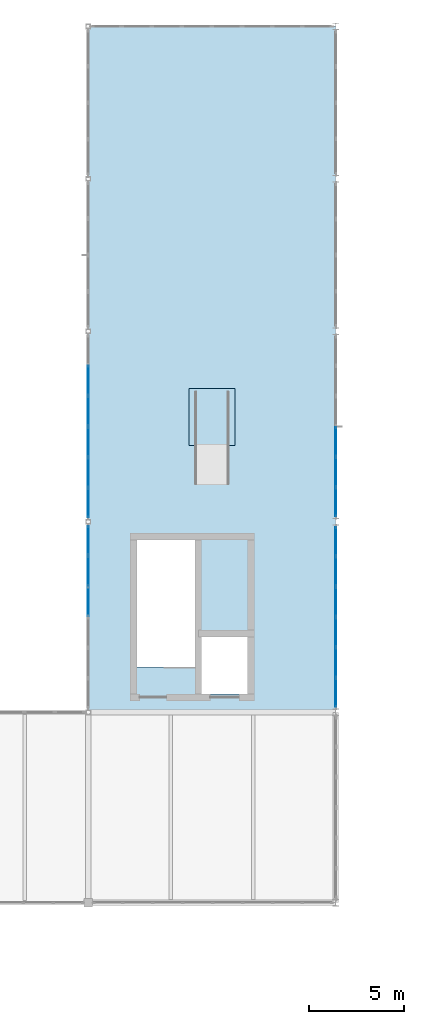
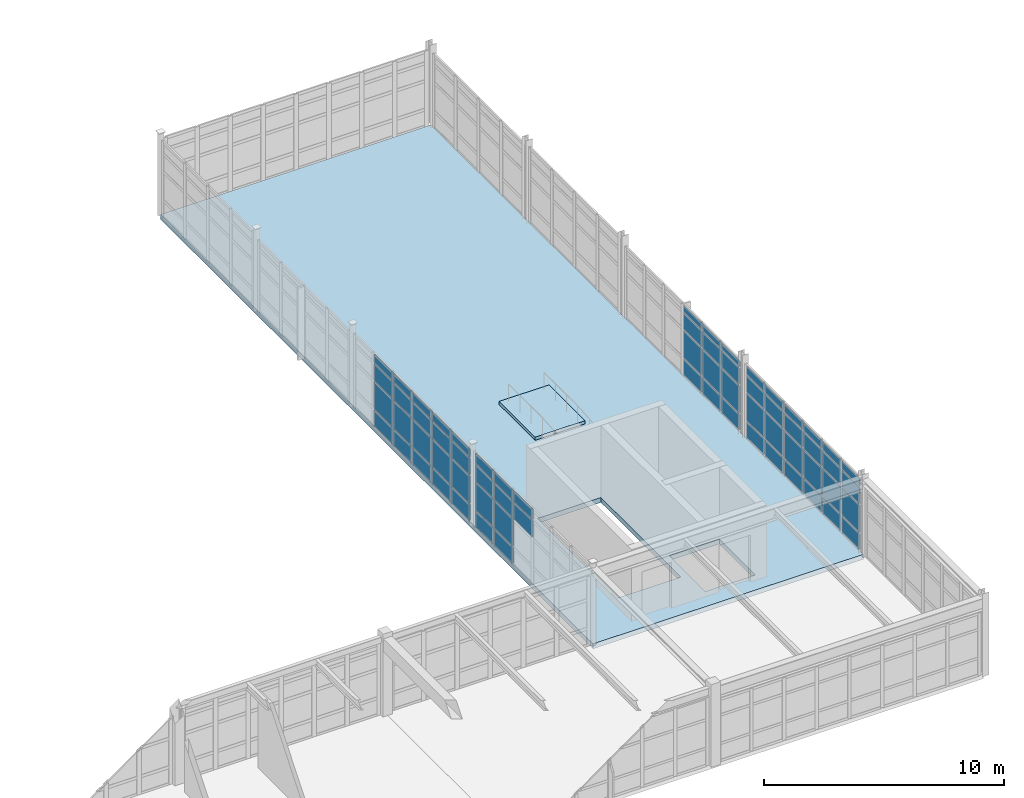
# One storey, part 85 of 122: 66 plates, 2 slabs, 4 elements without a shape of their own.
"""IFC4 building model written with IfcOpenShell, lengths in metres."""

import ifcopenshell
import ifcopenshell.guid

model = None  # the IFC model being written
_history = None  # IfcOwnerHistory: only IFC2X3 demands one
_inside = {}  # id of a spatial element -> (the spatial element, [elements in it])
_under = {}  # id of a project, library or spatial element -> (it, [spatial elements below it])
_declared = {}  # id of a project -> (the project, [libraries it declares])
_typed = {}  # id of a type object -> (the type object, [elements of that type])
_made_of = {}  # id of a material, layer set ... -> (it, [elements and type objects made of it])


def new_model(schema):
    """Start an empty IFC model of exactly this schema.

    Asked for "IFC4X3", IfcOpenShell would pick the latest addendum, in which some entities
    have other attributes; the version numbers below select the first issue.
    IFC2X3 requires an IfcOwnerHistory on every rooted entity: one is made here for all.
    """
    global model, _history
    if schema == "IFC4X3":
        model = ifcopenshell.file(schema_version=(4, 3, 0, 0))
    else:
        model = ifcopenshell.file(schema=schema)
    _inside.clear()
    _under.clear()
    _declared.clear()
    _typed.clear()
    _made_of.clear()
    _history = None
    if model.schema == "IFC2X3":
        org = make("IfcOrganization", Name="unknown")
        user = make(
            "IfcPersonAndOrganization",
            ThePerson=make("IfcPerson", FamilyName="unknown"),
            TheOrganization=org,
        )
        app = make(
            "IfcApplication",
            ApplicationDeveloper=org,
            Version="unknown",
            ApplicationFullName="unknown",
            ApplicationIdentifier="unknown",
        )
        _history = make(
            "IfcOwnerHistory",
            OwningUser=user,
            OwningApplication=app,
            ChangeAction="ADDED",
            CreationDate=0,
        )
    return model


def make(cls, **values):
    """One entity of the class cls with the attributes given. An attribute that is None is left unset."""
    return model.create_entity(
        cls, **{name: value for name, value in values.items() if value is not None}
    )


def rooted(cls, **values):
    """An entity with a GlobalId (a new one), such as an element, a storey or a relation."""
    return make(cls, GlobalId=ifcopenshell.guid.new(), OwnerHistory=_history, **values)


def si_unit(unit_type, name, prefix=None):
    """IfcSIUnit, for example si_unit("LENGTHUNIT", "METRE", prefix="MILLI")."""
    return make("IfcSIUnit", UnitType=unit_type, Prefix=prefix, Name=name)


def assignment(units):
    """IfcUnitAssignment: the units of a project."""
    return None if units is None else make("IfcUnitAssignment", Units=units)


def point(xyz):
    """IfcCartesianPoint."""
    return None if xyz is None else make("IfcCartesianPoint", Coordinates=xyz)


def direction(xyz):
    """IfcDirection."""
    return None if xyz is None else make("IfcDirection", DirectionRatios=xyz)


def frame(location, z_axis=None, x_axis=None):
    """IfcAxis2Placement3D, a coordinate frame: its origin and axes. An axis left out is left unset."""
    return make(
        "IfcAxis2Placement3D",
        Location=point(location),
        Axis=direction(z_axis),
        RefDirection=direction(x_axis),
    )


def frame_2d(location, x_axis=None):
    """IfcAxis2Placement2D, a coordinate frame in the plane: its origin and x axis."""
    return make(
        "IfcAxis2Placement2D", Location=point(location), RefDirection=direction(x_axis)
    )


def origin():
    """The frame at (0, 0, 0) with its axes left unset."""
    return frame((0.0, 0.0, 0.0))


def origin_2d():
    """The frame at (0, 0) in the plane with its x axis left unset."""
    return frame_2d((0.0, 0.0))


def place(relative_to, where):
    """IfcLocalPlacement: puts the frame where relative to a parent placement (None: the world)."""
    return make(
        "IfcLocalPlacement", PlacementRelTo=relative_to, RelativePlacement=where
    )


def context(
    kind, dimensions, precision=None, world=None, true_north=None, identifier=None
):
    """IfcGeometricRepresentationContext, for example the 3D "Model" context."""
    return make(
        "IfcGeometricRepresentationContext",
        ContextIdentifier=identifier,
        ContextType=kind,
        CoordinateSpaceDimension=dimensions,
        Precision=precision,
        WorldCoordinateSystem=world,
        TrueNorth=true_north,
    )


def subcontext(parent, identifier, kind, view, scale=None):
    """IfcGeometricRepresentationSubContext, for example "Body" below "Model"."""
    return make(
        "IfcGeometricRepresentationSubContext",
        ContextIdentifier=identifier,
        ContextType=kind,
        ParentContext=parent,
        TargetScale=scale,
        TargetView=view,
    )


def project(units=None, contexts=None):
    """IfcProject with its units and contexts."""
    return rooted(
        "IfcProject",
        Name="project",
        RepresentationContexts=contexts,
        UnitsInContext=assignment(units),
    )


def spatial(cls, under=None, at=None, **own):
    """A site, building, storey or space (cls), placed at a placement, below another one or the project."""
    s = rooted(cls, ObjectPlacement=at, **own)
    if under is not None:
        _under.setdefault(under.id(), (under, []))[1].append(s)
    return s


def polyline(points):
    """IfcPolyline through the points."""
    return make("IfcPolyline", Points=[point(p) for p in points])


def profile(cls, at=None, kind="AREA", **sizes):
    """A parametric profile (cls). Its sizes go by their IFC names, for example OverallWidth=200.0."""
    return make(cls, ProfileType=kind, Position=at, **sizes)


def rectangle(**sizes):
    """IfcRectangleProfileDef."""
    return profile("IfcRectangleProfileDef", **sizes)


def outline(outer, holes=None, kind="AREA"):
    """IfcArbitraryClosedProfileDef: a profile drawn as a closed curve; with holes, ...WithVoids."""
    if holes is None:
        return make("IfcArbitraryClosedProfileDef", ProfileType=kind, OuterCurve=outer)
    return make(
        "IfcArbitraryProfileDefWithVoids",
        ProfileType=kind,
        OuterCurve=outer,
        InnerCurves=holes,
    )


def extrude(swept, where, along, depth):
    """IfcExtrudedAreaSolid: the profile swept, set in the frame where, extruded along a direction by depth."""
    return make(
        "IfcExtrudedAreaSolid",
        SweptArea=swept,
        Position=where,
        ExtrudedDirection=direction(along),
        Depth=depth,
    )


def shape(context_of_items, identifier, shape_type, items):
    """IfcShapeRepresentation: the items that make up one representation, for example the "Body"."""
    return make(
        "IfcShapeRepresentation",
        ContextOfItems=context_of_items,
        RepresentationIdentifier=identifier,
        RepresentationType=shape_type,
        Items=items,
    )


def material(Name=None, Category=None):
    """IfcMaterial."""
    return make("IfcMaterial", Name=Name, Category=Category)


def layer(
    of_material, thickness, ventilated=None, Name=None, Category=None, Priority=None
):
    """IfcMaterialLayer: one layer of a wall or slab, of a material (None: an air gap)."""
    return make(
        "IfcMaterialLayer",
        Material=of_material,
        LayerThickness=thickness,
        IsVentilated=ventilated,
        Name=Name,
        Category=Category,
        Priority=Priority,
    )


def layer_set(layers, Name=None):
    """IfcMaterialLayerSet."""
    return make("IfcMaterialLayerSet", MaterialLayers=layers, LayerSetName=Name)


def made_of(thing, what):
    """Note that an element or type object is made of a material, layer set ...; save() writes the relation."""
    if what is not None:
        _made_of.setdefault(what.id(), (what, []))[1].append(thing)
    return thing


def type_object(cls, material=None, **own):
    """A type object (cls), such as IfcWallType, which elements share."""
    return made_of(rooted(cls, **own), material)


def element(
    cls,
    number,
    at=None,
    inside=None,
    cuts=None,
    type_object=None,
    material=None,
    context=None,
    identifier="Body",
    shape_type=None,
    held_by="IfcProductDefinitionShape",
    body=None,
    shapes=None,
    **own,
):
    """One element of the class cls, such as IfcWall. Its Tag is "e" and its number.

    at: its placement. inside: the storey or other place that contains it. cuts: it is an
    opening in that element (IfcRelVoidsElement). A single representation is given by context,
    identifier, shape_type and body (its items); several are given by shapes. held_by: the class
    of the entity that holds the representations. save() writes the other relations.
    """
    e = rooted(cls, Tag="e%d" % number, ObjectPlacement=at, **own)
    if body is not None:
        shapes = [shape(context, identifier, shape_type, body)]
    if shapes is not None:
        e.Representation = make(held_by, Representations=shapes)
    if inside is not None:
        _inside.setdefault(inside.id(), (inside, []))[1].append(e)
    if cuts is not None:
        rooted(
            "IfcRelVoidsElement", RelatingBuildingElement=cuts, RelatedOpeningElement=e
        )
    if type_object is not None:
        _typed.setdefault(type_object.id(), (type_object, []))[1].append(e)
    return made_of(e, material)


def aggregate(whole, parts):
    """IfcRelAggregates: a whole, such as a stair, and the parts it consists of."""
    return rooted("IfcRelAggregates", RelatingObject=whole, RelatedObjects=parts)


def save(model, path):
    """Write the relations noted so far, then the file.

    IfcRelAggregates (storeys below a building ...), IfcRelContainedInSpatialStructure (elements
    in a storey), IfcRelDefinesByType, IfcRelAssociatesMaterial and IfcRelDeclares: one each for
    every whole, place, type object, material and project.
    """
    for whole, parts in _under.values():
        aggregate(whole, parts)
    for where, things in _inside.values():
        rooted(
            "IfcRelContainedInSpatialStructure",
            RelatedElements=things,
            RelatingStructure=where,
        )
    for kind, things in _typed.values():
        rooted("IfcRelDefinesByType", RelatedObjects=things, RelatingType=kind)
    for what, things in _made_of.values():
        rooted("IfcRelAssociatesMaterial", RelatedObjects=things, RelatingMaterial=what)
    for by, libraries in _declared.values():
        rooted("IfcRelDeclares", RelatingContext=by, RelatedDefinitions=libraries)
    model.write(path)


model = new_model("IFC4")

# Units and contexts
model_context = context("Model", 3, precision=1e-05, world=origin(), true_north=direction((0.0, 1.0)))
body_context = subcontext(model_context, "Body", "Model", "MODEL_VIEW")
ifc_project = project(units=[si_unit("LENGTHUNIT", "METRE"), si_unit("AREAUNIT", "SQUARE_METRE"), si_unit("VOLUMEUNIT", "CUBIC_METRE"), si_unit("PLANEANGLEUNIT", "RADIAN"), si_unit("MASSUNIT", "GRAM", prefix="KILO"), si_unit("THERMODYNAMICTEMPERATUREUNIT", "KELVIN"), si_unit("POWERUNIT", "WATT")], contexts=[model_context])

# Site, building, storey
site_placement = place(None, origin())
site = spatial("IfcSite", under=ifc_project, at=site_placement, CompositionType="ELEMENT")
building_placement = place(site_placement, origin())
building = spatial("IfcBuilding", under=site, at=building_placement, Name="Korenveer Ferry Terminal", CompositionType="ELEMENT")
storey_placement = place(building_placement, frame((0.0, 0.0, 10.199951171875)))
storey = spatial("IfcBuildingStorey", under=building, at=storey_placement, Name="L02", CompositionType="ELEMENT", Elevation=10.199951171875)

# Curtain wall, plates
ifc_material_1 = material(Name="Unitised bronze-and-glass curtain wall", Category="glass")
ifc_layer_1 = layer(ifc_material_1, 0.219970703125)
ifc_layer_set_1 = layer_set([ifc_layer_1], Name="Unitised bronze-and-glass curtain wall")
curtain_wall_type_1 = type_object("IfcCurtainWallType", Name="ENV-CW-110", PredefinedType="USERDEFINED", material=ifc_layer_set_1)
curtain_wall_1_placement = place(storey_placement, frame((40.0, 80.16650390625, 0.0)))
curtain_wall_1 = element("IfcCurtainWall", 1, at=curtain_wall_1_placement, inside=storey, type_object=curtain_wall_type_1, Name="Lancet curtain wall CWX-L02-X40-40-Y80-90", ObjectType="UNITISED CURTAIN WALL", PredefinedType="USERDEFINED")
ifc_material_2 = material(Name="Acoustic laminated marine glazing", Category="glass")
ifc_layer_2 = layer(ifc_material_2, 0.035888671875)
ifc_layer_set_2 = layer_set([ifc_layer_2], Name="Acoustic laminated marine glazing")
plate_type = type_object("IfcPlateType", Name="ENV-CWP-GLZ36", PredefinedType="CURTAIN_PANEL", material=ifc_layer_set_2)
plate_1_placement = place(storey_placement, frame((40.0, 85.8056640625, 2.3876953125), z_axis=(0.0, 0.0, 1.0), x_axis=(0.0, 1.0, 0.0)))
plate_1 = element("IfcPlate", 2, at=plate_1_placement, type_object=plate_type, Name="CW-110 panel 4.3", PredefinedType="CURTAIN_PANEL", context=body_context, shape_type="SweptSolid", body=[
    extrude(rectangle(XDim=1.5361328125, YDim=0.035888671875, at=origin_2d()), origin(), (0.0, 0.0, 1.0), 0.824951171875),
])
plate_2_placement = place(storey_placement, frame((40.0, 85.8056640625, 3.28759765625), z_axis=(0.0, 0.0, 1.0), x_axis=(0.0, 1.0, 0.0)))
plate_2 = element("IfcPlate", 3, at=plate_2_placement, type_object=plate_type, Name="CW-110 panel 4.4", PredefinedType="CURTAIN_PANEL", context=body_context, shape_type="SweptSolid", body=[
    extrude(rectangle(XDim=1.5361328125, YDim=0.035888671875, at=origin_2d()), origin(), (0.0, 0.0, 1.0), 0.49755859375),
])
plate_3_placement = place(storey_placement, frame((40.0, 87.416748046875, 0.074951171875), z_axis=(0.0, 0.0, 1.0), x_axis=(0.0, 1.0, 0.0)))
plate_3 = element("IfcPlate", 4, at=plate_3_placement, type_object=plate_type, Name="CW-110 panel 5.1", PredefinedType="CURTAIN_PANEL", context=body_context, shape_type="SweptSolid", body=[
    extrude(rectangle(XDim=1.5361328125, YDim=0.035888671875, at=origin_2d()), origin(), (0.0, 0.0, 1.0), 0.78759765625),
])
plate_4_placement = place(storey_placement, frame((40.0, 87.416748046875, 0.9375), z_axis=(0.0, 0.0, 1.0), x_axis=(0.0, 1.0, 0.0)))
plate_4 = element("IfcPlate", 5, at=plate_4_placement, type_object=plate_type, Name="CW-110 panel 5.2", PredefinedType="CURTAIN_PANEL", context=body_context, shape_type="SweptSolid", body=[
    extrude(rectangle(XDim=1.5361328125, YDim=0.035888671875, at=origin_2d()), origin(), (0.0, 0.0, 1.0), 1.375),
])
plate_5_placement = place(storey_placement, frame((40.0, 87.416748046875, 2.3876953125), z_axis=(0.0, 0.0, 1.0), x_axis=(0.0, 1.0, 0.0)))
plate_5 = element("IfcPlate", 6, at=plate_5_placement, type_object=plate_type, Name="CW-110 panel 5.3", PredefinedType="CURTAIN_PANEL", context=body_context, shape_type="SweptSolid", body=[
    extrude(rectangle(XDim=1.5361328125, YDim=0.035888671875, at=origin_2d()), origin(), (0.0, 0.0, 1.0), 0.824951171875),
])
plate_6_placement = place(storey_placement, frame((40.0, 87.416748046875, 3.28759765625), z_axis=(0.0, 0.0, 1.0), x_axis=(0.0, 1.0, 0.0)))
plate_6 = element("IfcPlate", 7, at=plate_6_placement, type_object=plate_type, Name="CW-110 panel 5.4", PredefinedType="CURTAIN_PANEL", context=body_context, shape_type="SweptSolid", body=[
    extrude(rectangle(XDim=1.5361328125, YDim=0.035888671875, at=origin_2d()), origin(), (0.0, 0.0, 1.0), 0.49755859375),
])
plate_7_placement = place(storey_placement, frame((40.0, 89.00927734375, 0.074951171875), z_axis=(0.0, 0.0, 1.0), x_axis=(0.0, 1.0, 0.0)))
plate_7 = element("IfcPlate", 8, at=plate_7_placement, type_object=plate_type, Name="CW-110 panel 6.1", PredefinedType="CURTAIN_PANEL", context=body_context, shape_type="SweptSolid", body=[
    extrude(rectangle(XDim=1.498779296875, YDim=0.035888671875, at=origin_2d()), origin(), (0.0, 0.0, 1.0), 0.78759765625),
])
plate_8_placement = place(storey_placement, frame((40.0, 89.00927734375, 0.9375), z_axis=(0.0, 0.0, 1.0), x_axis=(0.0, 1.0, 0.0)))
plate_8 = element("IfcPlate", 9, at=plate_8_placement, type_object=plate_type, Name="CW-110 panel 6.2", PredefinedType="CURTAIN_PANEL", context=body_context, shape_type="SweptSolid", body=[
    extrude(rectangle(XDim=1.498779296875, YDim=0.035888671875, at=origin_2d()), origin(), (0.0, 0.0, 1.0), 1.375),
])
plate_9_placement = place(storey_placement, frame((40.0, 89.00927734375, 2.3876953125), z_axis=(0.0, 0.0, 1.0), x_axis=(0.0, 1.0, 0.0)))
plate_9 = element("IfcPlate", 10, at=plate_9_placement, type_object=plate_type, Name="CW-110 panel 6.3", PredefinedType="CURTAIN_PANEL", context=body_context, shape_type="SweptSolid", body=[
    extrude(rectangle(XDim=1.498779296875, YDim=0.035888671875, at=origin_2d()), origin(), (0.0, 0.0, 1.0), 0.824951171875),
])
plate_10_placement = place(storey_placement, frame((40.0, 89.00927734375, 3.28759765625), z_axis=(0.0, 0.0, 1.0), x_axis=(0.0, 1.0, 0.0)))
plate_10 = element("IfcPlate", 11, at=plate_10_placement, type_object=plate_type, Name="CW-110 panel 6.4", PredefinedType="CURTAIN_PANEL", context=body_context, shape_type="SweptSolid", body=[
    extrude(rectangle(XDim=1.498779296875, YDim=0.035888671875, at=origin_2d()), origin(), (0.0, 0.0, 1.0), 0.49755859375),
])
aggregate(curtain_wall_1, [plate_1, plate_2, plate_3, plate_4, plate_5, plate_6, plate_7, plate_8, plate_9, plate_10])

ifc_layer_3 = layer(ifc_material_1, 0.219970703125)
ifc_layer_set_3 = layer_set([ifc_layer_3], Name="Unitised bronze-and-glass curtain wall")
curtain_wall_type_2 = type_object("IfcCurtainWallType", Name="ENV-CW-111", PredefinedType="USERDEFINED", material=ifc_layer_set_3)
curtain_wall_2_placement = place(storey_placement, frame((40.0, 90.16650390625, 0.0)))
curtain_wall_2 = element("IfcCurtainWall", 12, at=curtain_wall_2_placement, inside=storey, type_object=curtain_wall_type_2, Name="Lancet curtain wall CWX-L02-X40-40-Y90-100", ObjectType="UNITISED CURTAIN WALL", PredefinedType="USERDEFINED")
plate_11_placement = place(storey_placement, frame((40.0, 90.99072265625, 0.074951171875), z_axis=(0.0, 0.0, 1.0), x_axis=(0.0, 1.0, 0.0)))
plate_11 = element("IfcPlate", 13, at=plate_11_placement, type_object=plate_type, Name="CW-111 panel 1.1", PredefinedType="CURTAIN_PANEL", context=body_context, shape_type="SweptSolid", body=[
    extrude(rectangle(XDim=1.498779296875, YDim=0.035888671875, at=origin_2d()), origin(), (0.0, 0.0, 1.0), 0.78759765625),
])
plate_12_placement = place(storey_placement, frame((40.0, 90.99072265625, 0.9375), z_axis=(0.0, 0.0, 1.0), x_axis=(0.0, 1.0, 0.0)))
plate_12 = element("IfcPlate", 14, at=plate_12_placement, type_object=plate_type, Name="CW-111 panel 1.2", PredefinedType="CURTAIN_PANEL", context=body_context, shape_type="SweptSolid", body=[
    extrude(rectangle(XDim=1.498779296875, YDim=0.035888671875, at=origin_2d()), origin(), (0.0, 0.0, 1.0), 1.375),
])
plate_13_placement = place(storey_placement, frame((40.0, 90.99072265625, 2.3876953125), z_axis=(0.0, 0.0, 1.0), x_axis=(0.0, 1.0, 0.0)))
plate_13 = element("IfcPlate", 15, at=plate_13_placement, type_object=plate_type, Name="CW-111 panel 1.3", PredefinedType="CURTAIN_PANEL", context=body_context, shape_type="SweptSolid", body=[
    extrude(rectangle(XDim=1.498779296875, YDim=0.035888671875, at=origin_2d()), origin(), (0.0, 0.0, 1.0), 0.824951171875),
])
plate_14_placement = place(storey_placement, frame((40.0, 90.99072265625, 3.28759765625), z_axis=(0.0, 0.0, 1.0), x_axis=(0.0, 1.0, 0.0)))
plate_14 = element("IfcPlate", 16, at=plate_14_placement, type_object=plate_type, Name="CW-111 panel 1.4", PredefinedType="CURTAIN_PANEL", context=body_context, shape_type="SweptSolid", body=[
    extrude(rectangle(XDim=1.498779296875, YDim=0.035888671875, at=origin_2d()), origin(), (0.0, 0.0, 1.0), 0.3974609375),
])
plate_15_placement = place(storey_placement, frame((40.0, 92.583251953125, 0.074951171875), z_axis=(0.0, 0.0, 1.0), x_axis=(0.0, 1.0, 0.0)))
plate_15 = element("IfcPlate", 17, at=plate_15_placement, type_object=plate_type, Name="CW-111 panel 2.1", PredefinedType="CURTAIN_PANEL", context=body_context, shape_type="SweptSolid", body=[
    extrude(rectangle(XDim=1.5361328125, YDim=0.035888671875, at=origin_2d()), origin(), (0.0, 0.0, 1.0), 0.78759765625),
])
plate_16_placement = place(storey_placement, frame((40.0, 92.583251953125, 0.9375), z_axis=(0.0, 0.0, 1.0), x_axis=(0.0, 1.0, 0.0)))
plate_16 = element("IfcPlate", 18, at=plate_16_placement, type_object=plate_type, Name="CW-111 panel 2.2", PredefinedType="CURTAIN_PANEL", context=body_context, shape_type="SweptSolid", body=[
    extrude(rectangle(XDim=1.5361328125, YDim=0.035888671875, at=origin_2d()), origin(), (0.0, 0.0, 1.0), 1.375),
])
plate_17_placement = place(storey_placement, frame((40.0, 92.583251953125, 2.3876953125), z_axis=(0.0, 0.0, 1.0), x_axis=(0.0, 1.0, 0.0)))
plate_17 = element("IfcPlate", 19, at=plate_17_placement, type_object=plate_type, Name="CW-111 panel 2.3", PredefinedType="CURTAIN_PANEL", context=body_context, shape_type="SweptSolid", body=[
    extrude(rectangle(XDim=1.5361328125, YDim=0.035888671875, at=origin_2d()), origin(), (0.0, 0.0, 1.0), 0.824951171875),
])
plate_18_placement = place(storey_placement, frame((40.0, 92.583251953125, 3.28759765625), z_axis=(0.0, 0.0, 1.0), x_axis=(0.0, 1.0, 0.0)))
plate_18 = element("IfcPlate", 20, at=plate_18_placement, type_object=plate_type, Name="CW-111 panel 2.4", PredefinedType="CURTAIN_PANEL", context=body_context, shape_type="SweptSolid", body=[
    extrude(rectangle(XDim=1.5361328125, YDim=0.035888671875, at=origin_2d()), origin(), (0.0, 0.0, 1.0), 0.3974609375),
])
plate_19_placement = place(storey_placement, frame((40.0, 94.1943359375, 0.074951171875), z_axis=(0.0, 0.0, 1.0), x_axis=(0.0, 1.0, 0.0)))
plate_19 = element("IfcPlate", 21, at=plate_19_placement, type_object=plate_type, Name="CW-111 panel 3.1", PredefinedType="CURTAIN_PANEL", context=body_context, shape_type="SweptSolid", body=[
    extrude(rectangle(XDim=1.5361328125, YDim=0.035888671875, at=origin_2d()), origin(), (0.0, 0.0, 1.0), 0.78759765625),
])
plate_20_placement = place(storey_placement, frame((40.0, 94.1943359375, 0.9375), z_axis=(0.0, 0.0, 1.0), x_axis=(0.0, 1.0, 0.0)))
plate_20 = element("IfcPlate", 22, at=plate_20_placement, type_object=plate_type, Name="CW-111 panel 3.2", PredefinedType="CURTAIN_PANEL", context=body_context, shape_type="SweptSolid", body=[
    extrude(rectangle(XDim=1.5361328125, YDim=0.035888671875, at=origin_2d()), origin(), (0.0, 0.0, 1.0), 1.375),
])
plate_21_placement = place(storey_placement, frame((40.0, 94.1943359375, 2.3876953125), z_axis=(0.0, 0.0, 1.0), x_axis=(0.0, 1.0, 0.0)))
plate_21 = element("IfcPlate", 23, at=plate_21_placement, type_object=plate_type, Name="CW-111 panel 3.3", PredefinedType="CURTAIN_PANEL", context=body_context, shape_type="SweptSolid", body=[
    extrude(rectangle(XDim=1.5361328125, YDim=0.035888671875, at=origin_2d()), origin(), (0.0, 0.0, 1.0), 0.824951171875),
])
plate_22_placement = place(storey_placement, frame((40.0, 94.1943359375, 3.28759765625), z_axis=(0.0, 0.0, 1.0), x_axis=(0.0, 1.0, 0.0)))
plate_22 = element("IfcPlate", 24, at=plate_22_placement, type_object=plate_type, Name="CW-111 panel 3.4", PredefinedType="CURTAIN_PANEL", context=body_context, shape_type="SweptSolid", body=[
    extrude(rectangle(XDim=1.5361328125, YDim=0.035888671875, at=origin_2d()), origin(), (0.0, 0.0, 1.0), 0.3974609375),
])
plate_23_placement = place(storey_placement, frame((40.0, 95.8056640625, 0.074951171875), z_axis=(0.0, 0.0, 1.0), x_axis=(0.0, 1.0, 0.0)))
plate_23 = element("IfcPlate", 25, at=plate_23_placement, type_object=plate_type, Name="CW-111 panel 4.1", PredefinedType="CURTAIN_PANEL", context=body_context, shape_type="SweptSolid", body=[
    extrude(rectangle(XDim=1.5361328125, YDim=0.035888671875, at=origin_2d()), origin(), (0.0, 0.0, 1.0), 0.78759765625),
])
plate_24_placement = place(storey_placement, frame((40.0, 95.8056640625, 0.9375), z_axis=(0.0, 0.0, 1.0), x_axis=(0.0, 1.0, 0.0)))
plate_24 = element("IfcPlate", 26, at=plate_24_placement, type_object=plate_type, Name="CW-111 panel 4.2", PredefinedType="CURTAIN_PANEL", context=body_context, shape_type="SweptSolid", body=[
    extrude(rectangle(XDim=1.5361328125, YDim=0.035888671875, at=origin_2d()), origin(), (0.0, 0.0, 1.0), 1.375),
])
plate_25_placement = place(storey_placement, frame((40.0, 95.8056640625, 2.3876953125), z_axis=(0.0, 0.0, 1.0), x_axis=(0.0, 1.0, 0.0)))
plate_25 = element("IfcPlate", 27, at=plate_25_placement, type_object=plate_type, Name="CW-111 panel 4.3", PredefinedType="CURTAIN_PANEL", context=body_context, shape_type="SweptSolid", body=[
    extrude(rectangle(XDim=1.5361328125, YDim=0.035888671875, at=origin_2d()), origin(), (0.0, 0.0, 1.0), 0.824951171875),
])
plate_26_placement = place(storey_placement, frame((40.0, 95.8056640625, 3.28759765625), z_axis=(0.0, 0.0, 1.0), x_axis=(0.0, 1.0, 0.0)))
plate_26 = element("IfcPlate", 28, at=plate_26_placement, type_object=plate_type, Name="CW-111 panel 4.4", PredefinedType="CURTAIN_PANEL", context=body_context, shape_type="SweptSolid", body=[
    extrude(rectangle(XDim=1.5361328125, YDim=0.035888671875, at=origin_2d()), origin(), (0.0, 0.0, 1.0), 0.3974609375),
])
plate_27_placement = place(storey_placement, frame((40.0, 97.416748046875, 0.074951171875), z_axis=(0.0, 0.0, 1.0), x_axis=(0.0, 1.0, 0.0)))
plate_27 = element("IfcPlate", 29, at=plate_27_placement, type_object=plate_type, Name="CW-111 panel 5.1", PredefinedType="CURTAIN_PANEL", context=body_context, shape_type="SweptSolid", body=[
    extrude(rectangle(XDim=1.5361328125, YDim=0.035888671875, at=origin_2d()), origin(), (0.0, 0.0, 1.0), 0.78759765625),
])
plate_28_placement = place(storey_placement, frame((40.0, 97.416748046875, 0.9375), z_axis=(0.0, 0.0, 1.0), x_axis=(0.0, 1.0, 0.0)))
plate_28 = element("IfcPlate", 30, at=plate_28_placement, type_object=plate_type, Name="CW-111 panel 5.2", PredefinedType="CURTAIN_PANEL", context=body_context, shape_type="SweptSolid", body=[
    extrude(rectangle(XDim=1.5361328125, YDim=0.035888671875, at=origin_2d()), origin(), (0.0, 0.0, 1.0), 1.375),
])
plate_29_placement = place(storey_placement, frame((40.0, 97.416748046875, 2.3876953125), z_axis=(0.0, 0.0, 1.0), x_axis=(0.0, 1.0, 0.0)))
plate_29 = element("IfcPlate", 31, at=plate_29_placement, type_object=plate_type, Name="CW-111 panel 5.3", PredefinedType="CURTAIN_PANEL", context=body_context, shape_type="SweptSolid", body=[
    extrude(rectangle(XDim=1.5361328125, YDim=0.035888671875, at=origin_2d()), origin(), (0.0, 0.0, 1.0), 0.824951171875),
])
plate_30_placement = place(storey_placement, frame((40.0, 97.416748046875, 3.28759765625), z_axis=(0.0, 0.0, 1.0), x_axis=(0.0, 1.0, 0.0)))
plate_30 = element("IfcPlate", 32, at=plate_30_placement, type_object=plate_type, Name="CW-111 panel 5.4", PredefinedType="CURTAIN_PANEL", context=body_context, shape_type="SweptSolid", body=[
    extrude(rectangle(XDim=1.5361328125, YDim=0.035888671875, at=origin_2d()), origin(), (0.0, 0.0, 1.0), 0.3974609375),
])
aggregate(curtain_wall_2, [plate_11, plate_12, plate_13, plate_14, plate_15, plate_16, plate_17, plate_18, plate_19, plate_20, plate_21, plate_22, plate_23, plate_24, plate_25, plate_26, plate_27, plate_28, plate_29, plate_30])

ifc_layer_4 = layer(ifc_material_1, 0.219970703125)
ifc_layer_set_4 = layer_set([ifc_layer_4], Name="Unitised bronze-and-glass curtain wall")
curtain_wall_type_3 = type_object("IfcCurtainWallType", Name="ENV-CW-117", PredefinedType="USERDEFINED", material=ifc_layer_set_4)
curtain_wall_3_placement = place(storey_placement, frame((53.0, 89.7900390625, 0.0)))
curtain_wall_3 = element("IfcCurtainWall", 33, at=curtain_wall_3_placement, inside=storey, type_object=curtain_wall_type_3, Name="Lancet curtain wall CWX-L02-X53-53-Y80-90", ObjectType="UNITISED CURTAIN WALL", PredefinedType="USERDEFINED")
plate_31_placement = place(storey_placement, frame((53.0, 88.972900390625, 0.074951171875), z_axis=(0.0, 0.0, 1.0), x_axis=(0.0, -1.0, 0.0)))
plate_31 = element("IfcPlate", 34, at=plate_31_placement, type_object=plate_type, Name="CW-117 panel 1.1", PredefinedType="CURTAIN_PANEL", context=body_context, shape_type="SweptSolid", body=[
    extrude(rectangle(XDim=1.484130859375, YDim=0.035888671875, at=origin_2d()), origin(), (0.0, 0.0, 1.0), 0.78759765625),
])
plate_32_placement = place(storey_placement, frame((53.0, 88.972900390625, 0.9375), z_axis=(0.0, 0.0, 1.0), x_axis=(0.0, -1.0, 0.0)))
plate_32 = element("IfcPlate", 35, at=plate_32_placement, type_object=plate_type, Name="CW-117 panel 1.2", PredefinedType="CURTAIN_PANEL", context=body_context, shape_type="SweptSolid", body=[
    extrude(rectangle(XDim=1.484130859375, YDim=0.035888671875, at=origin_2d()), origin(), (0.0, 0.0, 1.0), 1.375),
])
plate_33_placement = place(storey_placement, frame((53.0, 88.972900390625, 2.3876953125), z_axis=(0.0, 0.0, 1.0), x_axis=(0.0, -1.0, 0.0)))
plate_33 = element("IfcPlate", 36, at=plate_33_placement, type_object=plate_type, Name="CW-117 panel 1.3", PredefinedType="CURTAIN_PANEL", context=body_context, shape_type="SweptSolid", body=[
    extrude(rectangle(XDim=1.484130859375, YDim=0.035888671875, at=origin_2d()), origin(), (0.0, 0.0, 1.0), 0.824951171875),
])
plate_34_placement = place(storey_placement, frame((53.0, 88.972900390625, 3.28759765625), z_axis=(0.0, 0.0, 1.0), x_axis=(0.0, -1.0, 0.0)))
plate_34 = element("IfcPlate", 37, at=plate_34_placement, type_object=plate_type, Name="CW-117 panel 1.4", PredefinedType="CURTAIN_PANEL", context=body_context, shape_type="SweptSolid", body=[
    extrude(rectangle(XDim=1.484130859375, YDim=0.035888671875, at=origin_2d()), origin(), (0.0, 0.0, 1.0), 0.3974609375),
])
plate_35_placement = place(storey_placement, frame((53.0, 87.39501953125, 0.074951171875), z_axis=(0.0, 0.0, 1.0), x_axis=(0.0, -1.0, 0.0)))
plate_35 = element("IfcPlate", 38, at=plate_35_placement, type_object=plate_type, Name="CW-117 panel 2.1", PredefinedType="CURTAIN_PANEL", context=body_context, shape_type="SweptSolid", body=[
    extrude(rectangle(XDim=1.521728515625, YDim=0.035888671875, at=origin_2d()), origin(), (0.0, 0.0, 1.0), 0.78759765625),
])
plate_36_placement = place(storey_placement, frame((53.0, 87.39501953125, 0.9375), z_axis=(0.0, 0.0, 1.0), x_axis=(0.0, -1.0, 0.0)))
plate_36 = element("IfcPlate", 39, at=plate_36_placement, type_object=plate_type, Name="CW-117 panel 2.2", PredefinedType="CURTAIN_PANEL", context=body_context, shape_type="SweptSolid", body=[
    extrude(rectangle(XDim=1.521728515625, YDim=0.035888671875, at=origin_2d()), origin(), (0.0, 0.0, 1.0), 1.375),
])
plate_37_placement = place(storey_placement, frame((53.0, 87.39501953125, 2.3876953125), z_axis=(0.0, 0.0, 1.0), x_axis=(0.0, -1.0, 0.0)))
plate_37 = element("IfcPlate", 40, at=plate_37_placement, type_object=plate_type, Name="CW-117 panel 2.3", PredefinedType="CURTAIN_PANEL", context=body_context, shape_type="SweptSolid", body=[
    extrude(rectangle(XDim=1.521728515625, YDim=0.035888671875, at=origin_2d()), origin(), (0.0, 0.0, 1.0), 0.824951171875),
])
plate_38_placement = place(storey_placement, frame((53.0, 87.39501953125, 3.28759765625), z_axis=(0.0, 0.0, 1.0), x_axis=(0.0, -1.0, 0.0)))
plate_38 = element("IfcPlate", 41, at=plate_38_placement, type_object=plate_type, Name="CW-117 panel 2.4", PredefinedType="CURTAIN_PANEL", context=body_context, shape_type="SweptSolid", body=[
    extrude(rectangle(XDim=1.521728515625, YDim=0.035888671875, at=origin_2d()), origin(), (0.0, 0.0, 1.0), 0.3974609375),
])
plate_39_placement = place(storey_placement, frame((53.0, 85.79833984375, 0.074951171875), z_axis=(0.0, 0.0, 1.0), x_axis=(0.0, -1.0, 0.0)))
plate_39 = element("IfcPlate", 42, at=plate_39_placement, type_object=plate_type, Name="CW-117 panel 3.1", PredefinedType="CURTAIN_PANEL", context=body_context, shape_type="SweptSolid", body=[
    extrude(rectangle(XDim=1.521728515625, YDim=0.035888671875, at=origin_2d()), origin(), (0.0, 0.0, 1.0), 0.78759765625),
])
plate_40_placement = place(storey_placement, frame((53.0, 85.79833984375, 0.9375), z_axis=(0.0, 0.0, 1.0), x_axis=(0.0, -1.0, 0.0)))
plate_40 = element("IfcPlate", 43, at=plate_40_placement, type_object=plate_type, Name="CW-117 panel 3.2", PredefinedType="CURTAIN_PANEL", context=body_context, shape_type="SweptSolid", body=[
    extrude(rectangle(XDim=1.521728515625, YDim=0.035888671875, at=origin_2d()), origin(), (0.0, 0.0, 1.0), 1.375),
])
plate_41_placement = place(storey_placement, frame((53.0, 85.79833984375, 2.3876953125), z_axis=(0.0, 0.0, 1.0), x_axis=(0.0, -1.0, 0.0)))
plate_41 = element("IfcPlate", 44, at=plate_41_placement, type_object=plate_type, Name="CW-117 panel 3.3", PredefinedType="CURTAIN_PANEL", context=body_context, shape_type="SweptSolid", body=[
    extrude(rectangle(XDim=1.521728515625, YDim=0.035888671875, at=origin_2d()), origin(), (0.0, 0.0, 1.0), 0.824951171875),
])
plate_42_placement = place(storey_placement, frame((53.0, 85.79833984375, 3.28759765625), z_axis=(0.0, 0.0, 1.0), x_axis=(0.0, -1.0, 0.0)))
plate_42 = element("IfcPlate", 45, at=plate_42_placement, type_object=plate_type, Name="CW-117 panel 3.4", PredefinedType="CURTAIN_PANEL", context=body_context, shape_type="SweptSolid", body=[
    extrude(rectangle(XDim=1.521728515625, YDim=0.035888671875, at=origin_2d()), origin(), (0.0, 0.0, 1.0), 0.3974609375),
])
plate_43_placement = place(storey_placement, frame((53.0, 84.20166015625, 0.074951171875), z_axis=(0.0, 0.0, 1.0), x_axis=(0.0, -1.0, 0.0)))
plate_43 = element("IfcPlate", 46, at=plate_43_placement, type_object=plate_type, Name="CW-117 panel 4.1", PredefinedType="CURTAIN_PANEL", context=body_context, shape_type="SweptSolid", body=[
    extrude(rectangle(XDim=1.521728515625, YDim=0.035888671875, at=origin_2d()), origin(), (0.0, 0.0, 1.0), 0.78759765625),
])
plate_44_placement = place(storey_placement, frame((53.0, 84.20166015625, 0.9375), z_axis=(0.0, 0.0, 1.0), x_axis=(0.0, -1.0, 0.0)))
plate_44 = element("IfcPlate", 47, at=plate_44_placement, type_object=plate_type, Name="CW-117 panel 4.2", PredefinedType="CURTAIN_PANEL", context=body_context, shape_type="SweptSolid", body=[
    extrude(rectangle(XDim=1.521728515625, YDim=0.035888671875, at=origin_2d()), origin(), (0.0, 0.0, 1.0), 1.375),
])
plate_45_placement = place(storey_placement, frame((53.0, 84.20166015625, 2.3876953125), z_axis=(0.0, 0.0, 1.0), x_axis=(0.0, -1.0, 0.0)))
plate_45 = element("IfcPlate", 48, at=plate_45_placement, type_object=plate_type, Name="CW-117 panel 4.3", PredefinedType="CURTAIN_PANEL", context=body_context, shape_type="SweptSolid", body=[
    extrude(rectangle(XDim=1.521728515625, YDim=0.035888671875, at=origin_2d()), origin(), (0.0, 0.0, 1.0), 0.824951171875),
])
plate_46_placement = place(storey_placement, frame((53.0, 84.20166015625, 3.28759765625), z_axis=(0.0, 0.0, 1.0), x_axis=(0.0, -1.0, 0.0)))
plate_46 = element("IfcPlate", 49, at=plate_46_placement, type_object=plate_type, Name="CW-117 panel 4.4", PredefinedType="CURTAIN_PANEL", context=body_context, shape_type="SweptSolid", body=[
    extrude(rectangle(XDim=1.521728515625, YDim=0.035888671875, at=origin_2d()), origin(), (0.0, 0.0, 1.0), 0.3974609375),
])
plate_47_placement = place(storey_placement, frame((53.0, 82.60498046875, 0.074951171875), z_axis=(0.0, 0.0, 1.0), x_axis=(0.0, -1.0, 0.0)))
plate_47 = element("IfcPlate", 50, at=plate_47_placement, type_object=plate_type, Name="CW-117 panel 5.1", PredefinedType="CURTAIN_PANEL", context=body_context, shape_type="SweptSolid", body=[
    extrude(rectangle(XDim=1.521728515625, YDim=0.035888671875, at=origin_2d()), origin(), (0.0, 0.0, 1.0), 0.78759765625),
])
plate_48_placement = place(storey_placement, frame((53.0, 82.60498046875, 0.9375), z_axis=(0.0, 0.0, 1.0), x_axis=(0.0, -1.0, 0.0)))
plate_48 = element("IfcPlate", 51, at=plate_48_placement, type_object=plate_type, Name="CW-117 panel 5.2", PredefinedType="CURTAIN_PANEL", context=body_context, shape_type="SweptSolid", body=[
    extrude(rectangle(XDim=1.521728515625, YDim=0.035888671875, at=origin_2d()), origin(), (0.0, 0.0, 1.0), 1.375),
])
plate_49_placement = place(storey_placement, frame((53.0, 82.60498046875, 2.3876953125), z_axis=(0.0, 0.0, 1.0), x_axis=(0.0, -1.0, 0.0)))
plate_49 = element("IfcPlate", 52, at=plate_49_placement, type_object=plate_type, Name="CW-117 panel 5.3", PredefinedType="CURTAIN_PANEL", context=body_context, shape_type="SweptSolid", body=[
    extrude(rectangle(XDim=1.521728515625, YDim=0.035888671875, at=origin_2d()), origin(), (0.0, 0.0, 1.0), 0.824951171875),
])
plate_50_placement = place(storey_placement, frame((53.0, 82.60498046875, 3.28759765625), z_axis=(0.0, 0.0, 1.0), x_axis=(0.0, -1.0, 0.0)))
plate_50 = element("IfcPlate", 53, at=plate_50_placement, type_object=plate_type, Name="CW-117 panel 5.4", PredefinedType="CURTAIN_PANEL", context=body_context, shape_type="SweptSolid", body=[
    extrude(rectangle(XDim=1.521728515625, YDim=0.035888671875, at=origin_2d()), origin(), (0.0, 0.0, 1.0), 0.3974609375),
])
plate_51_placement = place(storey_placement, frame((53.0, 81.027099609375, 0.074951171875), z_axis=(0.0, 0.0, 1.0), x_axis=(0.0, -1.0, 0.0)))
plate_51 = element("IfcPlate", 54, at=plate_51_placement, type_object=plate_type, Name="CW-117 panel 6.1", PredefinedType="CURTAIN_PANEL", context=body_context, shape_type="SweptSolid", body=[
    extrude(rectangle(XDim=1.484130859375, YDim=0.035888671875, at=origin_2d()), origin(), (0.0, 0.0, 1.0), 0.78759765625),
])
plate_52_placement = place(storey_placement, frame((53.0, 81.027099609375, 0.9375), z_axis=(0.0, 0.0, 1.0), x_axis=(0.0, -1.0, 0.0)))
plate_52 = element("IfcPlate", 55, at=plate_52_placement, type_object=plate_type, Name="CW-117 panel 6.2", PredefinedType="CURTAIN_PANEL", context=body_context, shape_type="SweptSolid", body=[
    extrude(rectangle(XDim=1.484130859375, YDim=0.035888671875, at=origin_2d()), origin(), (0.0, 0.0, 1.0), 1.375),
])
plate_53_placement = place(storey_placement, frame((53.0, 81.027099609375, 2.3876953125), z_axis=(0.0, 0.0, 1.0), x_axis=(0.0, -1.0, 0.0)))
plate_53 = element("IfcPlate", 56, at=plate_53_placement, type_object=plate_type, Name="CW-117 panel 6.3", PredefinedType="CURTAIN_PANEL", context=body_context, shape_type="SweptSolid", body=[
    extrude(rectangle(XDim=1.484130859375, YDim=0.035888671875, at=origin_2d()), origin(), (0.0, 0.0, 1.0), 0.824951171875),
])
plate_54_placement = place(storey_placement, frame((53.0, 81.027099609375, 3.28759765625), z_axis=(0.0, 0.0, 1.0), x_axis=(0.0, -1.0, 0.0)))
plate_54 = element("IfcPlate", 57, at=plate_54_placement, type_object=plate_type, Name="CW-117 panel 6.4", PredefinedType="CURTAIN_PANEL", context=body_context, shape_type="SweptSolid", body=[
    extrude(rectangle(XDim=1.484130859375, YDim=0.035888671875, at=origin_2d()), origin(), (0.0, 0.0, 1.0), 0.3974609375),
])
aggregate(curtain_wall_3, [plate_31, plate_32, plate_33, plate_34, plate_35, plate_36, plate_37, plate_38, plate_39, plate_40, plate_41, plate_42, plate_43, plate_44, plate_45, plate_46, plate_47, plate_48, plate_49, plate_50, plate_51, plate_52, plate_53, plate_54])

ifc_layer_5 = layer(ifc_material_1, 0.219970703125)
ifc_layer_set_5 = layer_set([ifc_layer_5], Name="Unitised bronze-and-glass curtain wall")
curtain_wall_type_4 = type_object("IfcCurtainWallType", Name="ENV-CW-115", PredefinedType="USERDEFINED", material=ifc_layer_set_5)
curtain_wall_4_placement = place(storey_placement, frame((53.0, 99.7900390625, 0.0)))
curtain_wall_4 = element("IfcCurtainWall", 58, at=curtain_wall_4_placement, inside=storey, type_object=curtain_wall_type_4, Name="Lancet curtain wall CWX-L02-X53-53-Y90-100", ObjectType="UNITISED CURTAIN WALL", PredefinedType="USERDEFINED")
plate_55_placement = place(storey_placement, frame((53.0, 94.20166015625, 0.074951171875), z_axis=(0.0, 0.0, 1.0), x_axis=(0.0, -1.0, 0.0)))
plate_55 = element("IfcPlate", 59, at=plate_55_placement, type_object=plate_type, Name="CW-115 panel 4.1", PredefinedType="CURTAIN_PANEL", context=body_context, shape_type="SweptSolid", body=[
    extrude(rectangle(XDim=1.521728515625, YDim=0.035888671875, at=origin_2d()), origin(), (0.0, 0.0, 1.0), 0.78759765625),
])
plate_56_placement = place(storey_placement, frame((53.0, 94.20166015625, 0.9375), z_axis=(0.0, 0.0, 1.0), x_axis=(0.0, -1.0, 0.0)))
plate_56 = element("IfcPlate", 60, at=plate_56_placement, type_object=plate_type, Name="CW-115 panel 4.2", PredefinedType="CURTAIN_PANEL", context=body_context, shape_type="SweptSolid", body=[
    extrude(rectangle(XDim=1.521728515625, YDim=0.035888671875, at=origin_2d()), origin(), (0.0, 0.0, 1.0), 1.375),
])
plate_57_placement = place(storey_placement, frame((53.0, 94.20166015625, 2.3876953125), z_axis=(0.0, 0.0, 1.0), x_axis=(0.0, -1.0, 0.0)))
plate_57 = element("IfcPlate", 61, at=plate_57_placement, type_object=plate_type, Name="CW-115 panel 4.3", PredefinedType="CURTAIN_PANEL", context=body_context, shape_type="SweptSolid", body=[
    extrude(rectangle(XDim=1.521728515625, YDim=0.035888671875, at=origin_2d()), origin(), (0.0, 0.0, 1.0), 0.824951171875),
])
plate_58_placement = place(storey_placement, frame((53.0, 94.20166015625, 3.28759765625), z_axis=(0.0, 0.0, 1.0), x_axis=(0.0, -1.0, 0.0)))
plate_58 = element("IfcPlate", 62, at=plate_58_placement, type_object=plate_type, Name="CW-115 panel 4.4", PredefinedType="CURTAIN_PANEL", context=body_context, shape_type="SweptSolid", body=[
    extrude(rectangle(XDim=1.521728515625, YDim=0.035888671875, at=origin_2d()), origin(), (0.0, 0.0, 1.0), 0.297607421875),
])
plate_59_placement = place(storey_placement, frame((53.0, 92.60498046875, 0.074951171875), z_axis=(0.0, 0.0, 1.0), x_axis=(0.0, -1.0, 0.0)))
plate_59 = element("IfcPlate", 63, at=plate_59_placement, type_object=plate_type, Name="CW-115 panel 5.1", PredefinedType="CURTAIN_PANEL", context=body_context, shape_type="SweptSolid", body=[
    extrude(rectangle(XDim=1.521728515625, YDim=0.035888671875, at=origin_2d()), origin(), (0.0, 0.0, 1.0), 0.78759765625),
])
plate_60_placement = place(storey_placement, frame((53.0, 92.60498046875, 0.9375), z_axis=(0.0, 0.0, 1.0), x_axis=(0.0, -1.0, 0.0)))
plate_60 = element("IfcPlate", 64, at=plate_60_placement, type_object=plate_type, Name="CW-115 panel 5.2", PredefinedType="CURTAIN_PANEL", context=body_context, shape_type="SweptSolid", body=[
    extrude(rectangle(XDim=1.521728515625, YDim=0.035888671875, at=origin_2d()), origin(), (0.0, 0.0, 1.0), 1.375),
])
plate_61_placement = place(storey_placement, frame((53.0, 92.60498046875, 2.3876953125), z_axis=(0.0, 0.0, 1.0), x_axis=(0.0, -1.0, 0.0)))
plate_61 = element("IfcPlate", 65, at=plate_61_placement, type_object=plate_type, Name="CW-115 panel 5.3", PredefinedType="CURTAIN_PANEL", context=body_context, shape_type="SweptSolid", body=[
    extrude(rectangle(XDim=1.521728515625, YDim=0.035888671875, at=origin_2d()), origin(), (0.0, 0.0, 1.0), 0.824951171875),
])
plate_62_placement = place(storey_placement, frame((53.0, 92.60498046875, 3.28759765625), z_axis=(0.0, 0.0, 1.0), x_axis=(0.0, -1.0, 0.0)))
plate_62 = element("IfcPlate", 66, at=plate_62_placement, type_object=plate_type, Name="CW-115 panel 5.4", PredefinedType="CURTAIN_PANEL", context=body_context, shape_type="SweptSolid", body=[
    extrude(rectangle(XDim=1.521728515625, YDim=0.035888671875, at=origin_2d()), origin(), (0.0, 0.0, 1.0), 0.297607421875),
])
plate_63_placement = place(storey_placement, frame((53.0, 91.027099609375, 0.074951171875), z_axis=(0.0, 0.0, 1.0), x_axis=(0.0, -1.0, 0.0)))
plate_63 = element("IfcPlate", 67, at=plate_63_placement, type_object=plate_type, Name="CW-115 panel 6.1", PredefinedType="CURTAIN_PANEL", context=body_context, shape_type="SweptSolid", body=[
    extrude(rectangle(XDim=1.484130859375, YDim=0.035888671875, at=origin_2d()), origin(), (0.0, 0.0, 1.0), 0.78759765625),
])
plate_64_placement = place(storey_placement, frame((53.0, 91.027099609375, 0.9375), z_axis=(0.0, 0.0, 1.0), x_axis=(0.0, -1.0, 0.0)))
plate_64 = element("IfcPlate", 68, at=plate_64_placement, type_object=plate_type, Name="CW-115 panel 6.2", PredefinedType="CURTAIN_PANEL", context=body_context, shape_type="SweptSolid", body=[
    extrude(rectangle(XDim=1.484130859375, YDim=0.035888671875, at=origin_2d()), origin(), (0.0, 0.0, 1.0), 1.375),
])
plate_65_placement = place(storey_placement, frame((53.0, 91.027099609375, 2.3876953125), z_axis=(0.0, 0.0, 1.0), x_axis=(0.0, -1.0, 0.0)))
plate_65 = element("IfcPlate", 69, at=plate_65_placement, type_object=plate_type, Name="CW-115 panel 6.3", PredefinedType="CURTAIN_PANEL", context=body_context, shape_type="SweptSolid", body=[
    extrude(rectangle(XDim=1.484130859375, YDim=0.035888671875, at=origin_2d()), origin(), (0.0, 0.0, 1.0), 0.824951171875),
])
plate_66_placement = place(storey_placement, frame((53.0, 91.027099609375, 3.28759765625), z_axis=(0.0, 0.0, 1.0), x_axis=(0.0, -1.0, 0.0)))
plate_66 = element("IfcPlate", 70, at=plate_66_placement, type_object=plate_type, Name="CW-115 panel 6.4", PredefinedType="CURTAIN_PANEL", context=body_context, shape_type="SweptSolid", body=[
    extrude(rectangle(XDim=1.484130859375, YDim=0.035888671875, at=origin_2d()), origin(), (0.0, 0.0, 1.0), 0.297607421875),
])
aggregate(curtain_wall_4, [plate_55, plate_56, plate_57, plate_58, plate_59, plate_60, plate_61, plate_62, plate_63, plate_64, plate_65, plate_66])

# Slabs
ifc_material_3 = material(Name="Concrete C35/45", Category="concrete")
ifc_layer_6 = layer(ifc_material_3, 0.25)
ifc_layer_set_6 = layer_set([ifc_layer_6], Name="Concrete C35/45")
slab_type_1 = type_object("IfcSlabType", Name="STR-SL-FLR250", PredefinedType="FLOOR", material=ifc_layer_set_6)
slab_1_placement = place(storey_placement, frame((0.0, 0.0, -0.25)))
element("IfcSlab", 71, at=slab_1_placement, inside=storey, type_object=slab_type_1, Name="Floor slab SL-L02-PW2", PredefinedType="FLOOR", context=body_context, shape_type="SweptSolid", body=[
    extrude(outline(polyline([(40.0, 80.0), (53.0, 80.0), (53.0, 116.0), (40.0, 116.0), (40.0, 80.0)]), holes=[polyline([(45.60009765625, 82.3798828125), (45.60009765625, 89.0400390625), (42.56005859375, 89.0400390625), (42.56005859375, 82.3798828125), (45.60009765625, 82.3798828125)]), polyline([(45.9599609375, 80.9599609375), (48.360107421875, 80.9599609375), (48.360107421875, 83.9599609375), (45.9599609375, 83.9599609375), (45.9599609375, 80.9599609375)])]), origin(), (0.0, 0.0, 1.0), 0.25),
])
ifc_layer_7 = layer(ifc_material_3, 0.159912109375)
ifc_layer_set_7 = layer_set([ifc_layer_7], Name="Concrete C35/45")
slab_type_2 = type_object("IfcSlabType", Name="STR-SL-WING160", PredefinedType="ROOF", material=ifc_layer_set_7)
slab_2_placement = place(storey_placement, origin())
element("IfcSlab", 72, at=slab_2_placement, inside=storey, type_object=slab_type_2, Name="West Boarding Bridge Accessible Ramp boarding plinth", PredefinedType="ROOF", context=body_context, shape_type="SweptSolid", body=[
    extrude(outline(polyline([(45.300048828125, 94.0), (47.699951171875, 94.0), (47.699951171875, 97.0), (45.300048828125, 97.0), (45.300048828125, 94.0)])), origin(), (0.0, 0.0, 1.0), 0.16015625),
])

save(model, "model.ifc")
